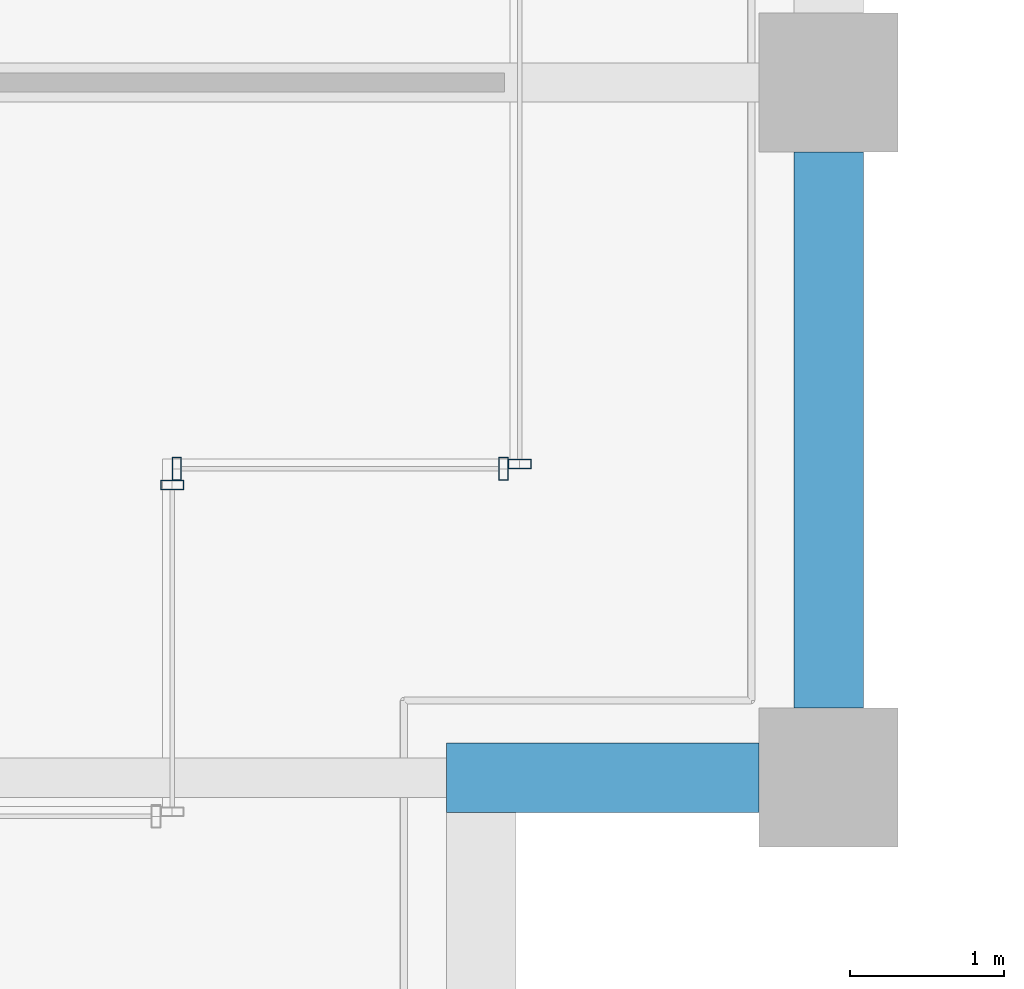
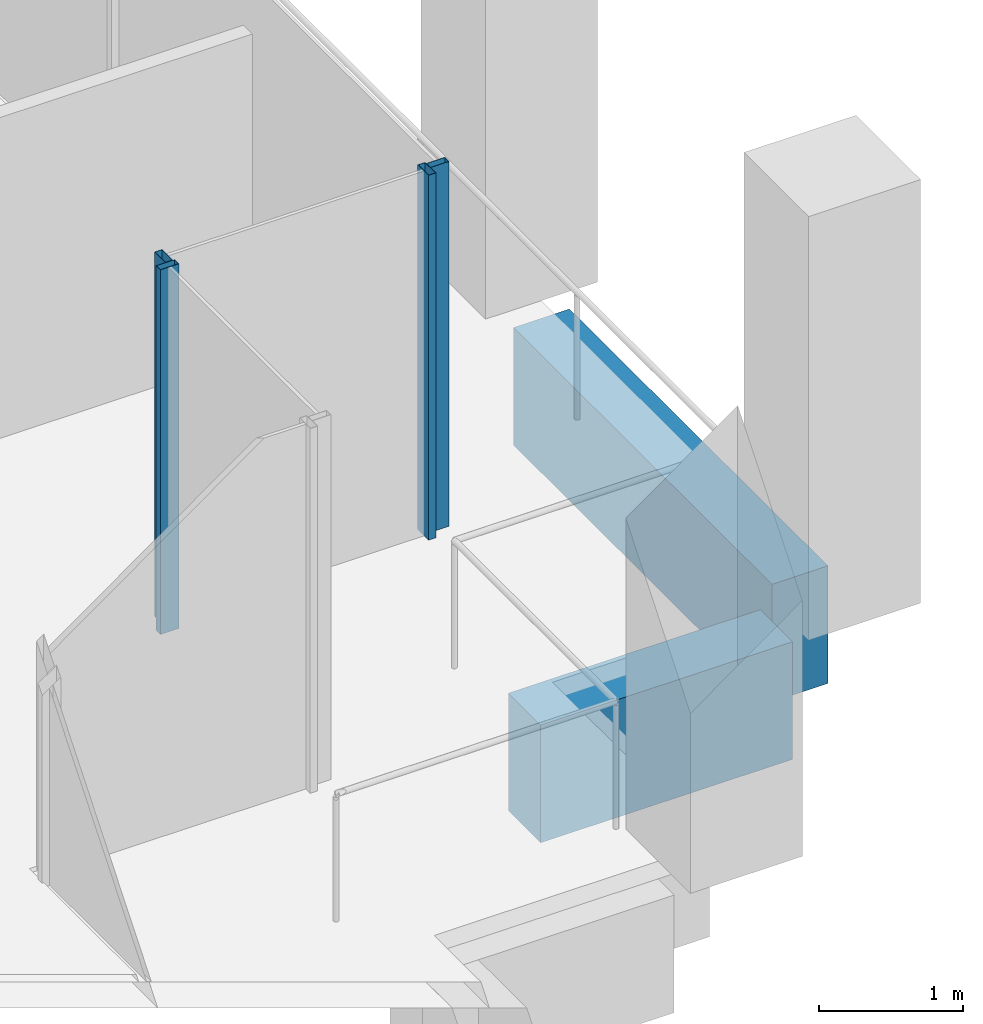
# One storey, part 13 of 40: 4 members, 2 beams, 3 elements without a shape of their own.
"""IFC4 building model written with IfcOpenShell, lengths in metres."""

import ifcopenshell
import ifcopenshell.guid

model = None  # the IFC model being written
_history = None  # IfcOwnerHistory: only IFC2X3 demands one
_inside = {}  # id of a spatial element -> (the spatial element, [elements in it])
_under = {}  # id of a project, library or spatial element -> (it, [spatial elements below it])
_declared = {}  # id of a project -> (the project, [libraries it declares])
_typed = {}  # id of a type object -> (the type object, [elements of that type])
_made_of = {}  # id of a material, layer set ... -> (it, [elements and type objects made of it])


def new_model(schema):
    """Start an empty IFC model of exactly this schema.

    Asked for "IFC4X3", IfcOpenShell would pick the latest addendum, in which some entities
    have other attributes; the version numbers below select the first issue.
    IFC2X3 requires an IfcOwnerHistory on every rooted entity: one is made here for all.
    """
    global model, _history
    if schema == "IFC4X3":
        model = ifcopenshell.file(schema_version=(4, 3, 0, 0))
    else:
        model = ifcopenshell.file(schema=schema)
    _inside.clear()
    _under.clear()
    _declared.clear()
    _typed.clear()
    _made_of.clear()
    _history = None
    if model.schema == "IFC2X3":
        org = make("IfcOrganization", Name="unknown")
        user = make(
            "IfcPersonAndOrganization",
            ThePerson=make("IfcPerson", FamilyName="unknown"),
            TheOrganization=org,
        )
        app = make(
            "IfcApplication",
            ApplicationDeveloper=org,
            Version="unknown",
            ApplicationFullName="unknown",
            ApplicationIdentifier="unknown",
        )
        _history = make(
            "IfcOwnerHistory",
            OwningUser=user,
            OwningApplication=app,
            ChangeAction="ADDED",
            CreationDate=0,
        )
    return model


def make(cls, **values):
    """One entity of the class cls with the attributes given. An attribute that is None is left unset."""
    return model.create_entity(
        cls, **{name: value for name, value in values.items() if value is not None}
    )


def rooted(cls, **values):
    """An entity with a GlobalId (a new one), such as an element, a storey or a relation."""
    return make(cls, GlobalId=ifcopenshell.guid.new(), OwnerHistory=_history, **values)


def si_unit(unit_type, name, prefix=None):
    """IfcSIUnit, for example si_unit("LENGTHUNIT", "METRE", prefix="MILLI")."""
    return make("IfcSIUnit", UnitType=unit_type, Prefix=prefix, Name=name)


def assignment(units):
    """IfcUnitAssignment: the units of a project."""
    return None if units is None else make("IfcUnitAssignment", Units=units)


def point(xyz):
    """IfcCartesianPoint."""
    return None if xyz is None else make("IfcCartesianPoint", Coordinates=xyz)


def direction(xyz):
    """IfcDirection."""
    return None if xyz is None else make("IfcDirection", DirectionRatios=xyz)


def frame(location, z_axis=None, x_axis=None):
    """IfcAxis2Placement3D, a coordinate frame: its origin and axes. An axis left out is left unset."""
    return make(
        "IfcAxis2Placement3D",
        Location=point(location),
        Axis=direction(z_axis),
        RefDirection=direction(x_axis),
    )


def frame_2d(location, x_axis=None):
    """IfcAxis2Placement2D, a coordinate frame in the plane: its origin and x axis."""
    return make(
        "IfcAxis2Placement2D", Location=point(location), RefDirection=direction(x_axis)
    )


def origin():
    """The frame at (0, 0, 0) with its axes left unset."""
    return frame((0.0, 0.0, 0.0))


def origin_2d():
    """The frame at (0, 0) in the plane with its x axis left unset."""
    return frame_2d((0.0, 0.0))


def place(relative_to, where):
    """IfcLocalPlacement: puts the frame where relative to a parent placement (None: the world)."""
    return make(
        "IfcLocalPlacement", PlacementRelTo=relative_to, RelativePlacement=where
    )


def context(
    kind, dimensions, precision=None, world=None, true_north=None, identifier=None
):
    """IfcGeometricRepresentationContext, for example the 3D "Model" context."""
    return make(
        "IfcGeometricRepresentationContext",
        ContextIdentifier=identifier,
        ContextType=kind,
        CoordinateSpaceDimension=dimensions,
        Precision=precision,
        WorldCoordinateSystem=world,
        TrueNorth=true_north,
    )


def subcontext(parent, identifier, kind, view, scale=None):
    """IfcGeometricRepresentationSubContext, for example "Body" below "Model"."""
    return make(
        "IfcGeometricRepresentationSubContext",
        ContextIdentifier=identifier,
        ContextType=kind,
        ParentContext=parent,
        TargetScale=scale,
        TargetView=view,
    )


def project(units=None, contexts=None):
    """IfcProject with its units and contexts."""
    return rooted(
        "IfcProject",
        Name="project",
        RepresentationContexts=contexts,
        UnitsInContext=assignment(units),
    )


def spatial(cls, under=None, at=None, **own):
    """A site, building, storey or space (cls), placed at a placement, below another one or the project."""
    s = rooted(cls, ObjectPlacement=at, **own)
    if under is not None:
        _under.setdefault(under.id(), (under, []))[1].append(s)
    return s


def profile(cls, at=None, kind="AREA", **sizes):
    """A parametric profile (cls). Its sizes go by their IFC names, for example OverallWidth=200.0."""
    return make(cls, ProfileType=kind, Position=at, **sizes)


def rectangle(**sizes):
    """IfcRectangleProfileDef."""
    return profile("IfcRectangleProfileDef", **sizes)


def hollow_rectangle(**sizes):
    """IfcRectangleHollowProfileDef."""
    return profile("IfcRectangleHollowProfileDef", **sizes)


def extrude(swept, where, along, depth):
    """IfcExtrudedAreaSolid: the profile swept, set in the frame where, extruded along a direction by depth."""
    return make(
        "IfcExtrudedAreaSolid",
        SweptArea=swept,
        Position=where,
        ExtrudedDirection=direction(along),
        Depth=depth,
    )


def shape(context_of_items, identifier, shape_type, items):
    """IfcShapeRepresentation: the items that make up one representation, for example the "Body"."""
    return make(
        "IfcShapeRepresentation",
        ContextOfItems=context_of_items,
        RepresentationIdentifier=identifier,
        RepresentationType=shape_type,
        Items=items,
    )


def material(Name=None, Category=None):
    """IfcMaterial."""
    return make("IfcMaterial", Name=Name, Category=Category)


def material_profile(
    of_material, cross_section, Name=None, Category=None, Priority=None
):
    """IfcMaterialProfile: a cross section and its material."""
    return make(
        "IfcMaterialProfile",
        Name=Name,
        Material=of_material,
        Profile=cross_section,
        Priority=Priority,
        Category=Category,
    )


def profile_set(profiles, Name=None, composite=None):
    """IfcMaterialProfileSet."""
    return make(
        "IfcMaterialProfileSet",
        Name=Name,
        MaterialProfiles=profiles,
        CompositeProfile=composite,
    )


def made_of(thing, what):
    """Note that an element or type object is made of a material, layer set ...; save() writes the relation."""
    if what is not None:
        _made_of.setdefault(what.id(), (what, []))[1].append(thing)
    return thing


def type_object(cls, material=None, **own):
    """A type object (cls), such as IfcWallType, which elements share."""
    return made_of(rooted(cls, **own), material)


def element(
    cls,
    number,
    at=None,
    inside=None,
    cuts=None,
    type_object=None,
    material=None,
    context=None,
    identifier="Body",
    shape_type=None,
    held_by="IfcProductDefinitionShape",
    body=None,
    shapes=None,
    **own,
):
    """One element of the class cls, such as IfcWall. Its Tag is "e" and its number.

    at: its placement. inside: the storey or other place that contains it. cuts: it is an
    opening in that element (IfcRelVoidsElement). A single representation is given by context,
    identifier, shape_type and body (its items); several are given by shapes. held_by: the class
    of the entity that holds the representations. save() writes the other relations.
    """
    e = rooted(cls, Tag="e%d" % number, ObjectPlacement=at, **own)
    if body is not None:
        shapes = [shape(context, identifier, shape_type, body)]
    if shapes is not None:
        e.Representation = make(held_by, Representations=shapes)
    if inside is not None:
        _inside.setdefault(inside.id(), (inside, []))[1].append(e)
    if cuts is not None:
        rooted(
            "IfcRelVoidsElement", RelatingBuildingElement=cuts, RelatedOpeningElement=e
        )
    if type_object is not None:
        _typed.setdefault(type_object.id(), (type_object, []))[1].append(e)
    return made_of(e, material)


def aggregate(whole, parts):
    """IfcRelAggregates: a whole, such as a stair, and the parts it consists of."""
    return rooted("IfcRelAggregates", RelatingObject=whole, RelatedObjects=parts)


def save(model, path):
    """Write the relations noted so far, then the file.

    IfcRelAggregates (storeys below a building ...), IfcRelContainedInSpatialStructure (elements
    in a storey), IfcRelDefinesByType, IfcRelAssociatesMaterial and IfcRelDeclares: one each for
    every whole, place, type object, material and project.
    """
    for whole, parts in _under.values():
        aggregate(whole, parts)
    for where, things in _inside.values():
        rooted(
            "IfcRelContainedInSpatialStructure",
            RelatedElements=things,
            RelatingStructure=where,
        )
    for kind, things in _typed.values():
        rooted("IfcRelDefinesByType", RelatedObjects=things, RelatingType=kind)
    for what, things in _made_of.values():
        rooted("IfcRelAssociatesMaterial", RelatedObjects=things, RelatingMaterial=what)
    for by, libraries in _declared.values():
        rooted("IfcRelDeclares", RelatingContext=by, RelatedDefinitions=libraries)
    model.write(path)


model = new_model("IFC4")

# Units and contexts
model_context = context("Model", 3, precision=1e-05, world=origin(), true_north=direction((0.0, 1.0)))
body_context = subcontext(model_context, "Body", "Model", "MODEL_VIEW")
ifc_project = project(units=[si_unit("LENGTHUNIT", "METRE"), si_unit("AREAUNIT", "SQUARE_METRE"), si_unit("VOLUMEUNIT", "CUBIC_METRE"), si_unit("PLANEANGLEUNIT", "RADIAN"), si_unit("MASSUNIT", "GRAM", prefix="KILO")], contexts=[model_context])

# Site, building, storey
site_placement = place(None, origin())
site = spatial("IfcSite", under=ifc_project, at=site_placement, CompositionType="ELEMENT")
building_placement = place(site_placement, origin())
building = spatial("IfcBuilding", under=site, at=building_placement, Name="Altepetl Exchange Towers", CompositionType="ELEMENT")
storey_placement = place(building_placement, frame((0.0, 0.0, 151.0)))
storey = spatial("IfcBuildingStorey", under=building, at=storey_placement, Name="L37", CompositionType="ELEMENT", Elevation=151.0)

# Curtain wall, member
ifc_material_1 = material(Name="Aluminium 6063-T6 glazing", Category="aluminium")
curtain_wall_type = type_object("IfcCurtainWallType", Name="Loggia glazing system", PredefinedType="NOTDEFINED", material=ifc_material_1)
curtain_wall_1_placement = place(storey_placement, origin())
curtain_wall_1 = element("IfcCurtainWall", 1, at=curtain_wall_1_placement, inside=storey, type_object=curtain_wall_type, Name="CW1 run", PredefinedType="NOTDEFINED")
ifc_material_2 = material(Name="Aluminium 6063-T6", Category="aluminium")
ifc_material_profile_1 = material_profile(ifc_material_2, hollow_rectangle(XDim=0.06005859375, YDim=0.14990234375, WallThickness=0.0029296875, at=origin_2d()), Name="Mullion 60x150 aluminium")
ifc_profile_set_1 = profile_set([ifc_material_profile_1], Name="Aluminium 6063-T6")
member_type = type_object("IfcMemberType", Name="Mullion 60x150 aluminium", PredefinedType="MULLION", material=ifc_profile_set_1)
member_1_placement = place(storey_placement, frame((67.75, 33.39501953125, 0.0), z_axis=(0.0, 0.0, 1.0), x_axis=(0.0, 1.0, 0.0)))
member_1 = element("IfcMember", 2, at=member_1_placement, type_object=member_type, Name="MU1 mullion", PredefinedType="MULLION", context=body_context, shape_type="SweptSolid", body=[
    extrude(hollow_rectangle(XDim=0.06005859375, YDim=0.14990234375, WallThickness=0.0029296875, at=origin_2d()), origin(), (0.0, 0.0, 1.0), 3.10009765625),
])
aggregate(curtain_wall_1, [member_1])

# Curtain wall, members
curtain_wall_2_placement = place(storey_placement, origin())
curtain_wall_2 = element("IfcCurtainWall", 3, at=curtain_wall_2_placement, inside=storey, type_object=curtain_wall_type, Name="CW1 run", PredefinedType="NOTDEFINED")
member_2_placement = place(storey_placement, frame((67.780029296875, 33.5, 0.0)))
member_2 = element("IfcMember", 4, at=member_2_placement, type_object=member_type, Name="MU1 mullion", PredefinedType="MULLION", context=body_context, shape_type="SweptSolid", body=[
    extrude(hollow_rectangle(XDim=0.06005859375, YDim=0.14990234375, WallThickness=0.0029296875, at=origin_2d()), origin(), (0.0, 0.0, 1.0), 3.10009765625),
])
member_3_placement = place(storey_placement, frame((69.89501953125, 33.5, 0.0)))
member_3 = element("IfcMember", 5, at=member_3_placement, type_object=member_type, Name="MU1 mullion", PredefinedType="MULLION", context=body_context, shape_type="SweptSolid", body=[
    extrude(hollow_rectangle(XDim=0.06005859375, YDim=0.14990234375, WallThickness=0.0029296875, at=origin_2d()), origin(), (0.0, 0.0, 1.0), 3.10009765625),
])
aggregate(curtain_wall_2, [member_2, member_3])

# Curtain wall, member
curtain_wall_3_placement = place(storey_placement, origin())
curtain_wall_3 = element("IfcCurtainWall", 6, at=curtain_wall_3_placement, inside=storey, type_object=curtain_wall_type, Name="CW1 run", PredefinedType="NOTDEFINED")
member_4_placement = place(storey_placement, frame((70.0, 33.530029296875, 0.0), z_axis=(0.0, 0.0, 1.0), x_axis=(0.0, 1.0, 0.0)))
member_4 = element("IfcMember", 7, at=member_4_placement, type_object=member_type, Name="MU1 mullion", PredefinedType="MULLION", context=body_context, shape_type="SweptSolid", body=[
    extrude(hollow_rectangle(XDim=0.06005859375, YDim=0.14990234375, WallThickness=0.0029296875, at=origin_2d()), origin(), (0.0, 0.0, 1.0), 3.10009765625),
])
aggregate(curtain_wall_3, [member_4])

# Beams
ifc_material_3 = material(Name="Concrete C50/60 precast with cantera amarilla facing", Category="concrete")
ifc_material_profile_2 = material_profile(ifc_material_3, rectangle(XDim=0.449951171875, YDim=1.0, at=origin_2d()), Name="450 x 1000")
ifc_profile_set_2 = profile_set([ifc_material_profile_2], Name="Concrete C50/60 precast with cantera amarilla facing")
beam_type = type_object("IfcBeamType", Name="Spandrel beam 450x1000 cantera amarilla", PredefinedType="SPANDREL", material=ifc_profile_set_2)
beam_1_placement = place(storey_placement, frame((69.52490234375, 31.5, -0.64990234375), z_axis=(1.0, 0.0, 0.0), x_axis=(0.0, 1.0, 0.0)))
element("IfcBeam", 8, at=beam_1_placement, inside=storey, type_object=beam_type, Name="sp:A:L37:011", PredefinedType="SPANDREL", context=body_context, shape_type="SweptSolid", body=[
    extrude(rectangle(XDim=0.449951171875, YDim=1.0, at=origin_2d()), origin(), (0.0, 0.0, 1.0), 2.025146484375),
])
beam_2_placement = place(storey_placement, frame((72.0, 31.949951171875, -0.64990234375), z_axis=(0.0, 1.0, 0.0), x_axis=(-1.0, 0.0, 0.0)))
element("IfcBeam", 9, at=beam_2_placement, inside=storey, type_object=beam_type, Name="sp:A:L37:012", PredefinedType="SPANDREL", context=body_context, shape_type="SweptSolid", body=[
    extrude(rectangle(XDim=0.449951171875, YDim=1.0, at=origin_2d()), origin(), (0.0, 0.0, 1.0), 3.60009765625),
])

save(model, "model.ifc")
